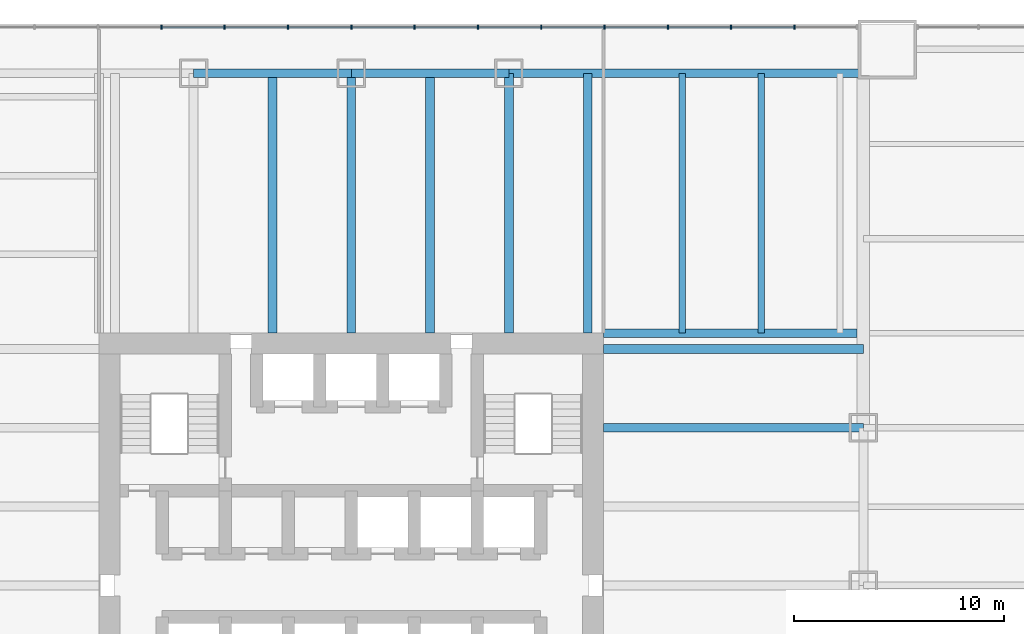
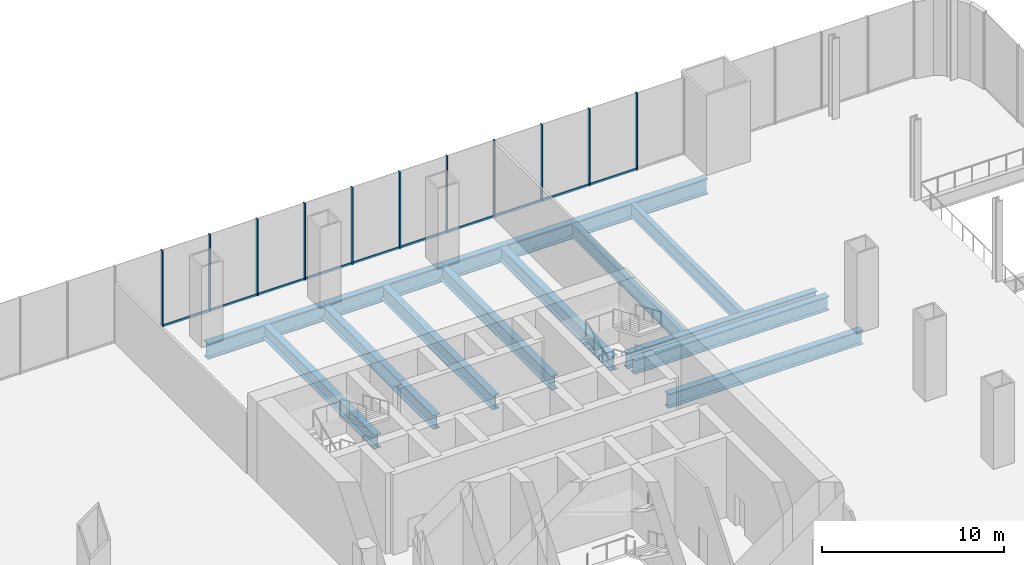
# One storey, part 7 of 16: 21 members, 13 beams, 1 element without a shape of its own.
"""IFC4 building model written with IfcOpenShell, lengths in metres."""

from ifc_helpers import new_model, si_unit, direction, frame, origin, origin_2d, place, context, subcontext, project, spatial, rectangle, i_section, extrude, material, material_profile, profile_set, type_object, element, aggregate, save


model = new_model("IFC4")

# Units and contexts
model_context = context("Model", 3, precision=1e-05, world=origin(), true_north=direction((0.0, 1.0)))
body_context = subcontext(model_context, "Body", "Model", "MODEL_VIEW")
ifc_project = project(units=[si_unit("LENGTHUNIT", "METRE"), si_unit("AREAUNIT", "SQUARE_METRE"), si_unit("VOLUMEUNIT", "CUBIC_METRE"), si_unit("PLANEANGLEUNIT", "RADIAN"), si_unit("MASSUNIT", "GRAM", prefix="KILO")], contexts=[model_context])

# Site, building, storey
site_placement = place(None, origin())
site = spatial("IfcSite", under=ifc_project, at=site_placement, CompositionType="ELEMENT")
building_placement = place(site_placement, origin())
building = spatial("IfcBuilding", under=site, at=building_placement, Name="Tarangal Relay Tower", CompositionType="ELEMENT")
storey_placement = place(building_placement, frame((0.0, 0.0, 12.60009765625)))
storey = spatial("IfcBuildingStorey", under=building, at=storey_placement, Name="L02", CompositionType="ELEMENT", Elevation=12.60009765625)

# Beams
ifc_material_1 = material(Name="Steel ASTM A992", Category="steel")
ifc_material_profile_1 = material_profile(ifc_material_1, i_section(OverallWidth=0.307373046875, OverallDepth=0.927001953125, WebThickness=0.019287109375, FlangeThickness=0.031982421875, at=origin_2d()), Name="W36X194")
ifc_profile_set_1 = profile_set([ifc_material_profile_1], Name="Steel ASTM A992")
beam_type_1 = type_object("IfcBeamType", Name="Corner beam W36X194", PredefinedType="JOIST", material=ifc_profile_set_1)
for number, where, z_axis, x_axis, name in (
    (1, (15.75, 12.0, -0.713623046875), (0.0, 1.0, 0.0), (-1.0, 0.0, 0.0), "Corner beam CB10 N L02"),
    (2, (19.5, 12.0, -0.713623046875), (0.0, 1.0, 0.0), (-1.0, 0.0, 0.0), "Corner beam CB10 N L02"),
):
    element("IfcBeam", number, at=place(storey_placement, frame(where, z_axis=z_axis, x_axis=x_axis)), inside=storey, type_object=beam_type_1, Name=name, PredefinedType="JOIST", context=body_context, shape_type="SweptSolid", body=[
        extrude(i_section(OverallWidth=0.307373046875, OverallDepth=0.927001953125, WebThickness=0.019287109375, FlangeThickness=0.031982421875, at=origin_2d()), origin(), (0.0, 0.0, 1.0), 12.364990234375),
    ])
ifc_material_profile_2 = material_profile(ifc_material_1, i_section(OverallWidth=0.408935546875, OverallDepth=1.04150390625, WebThickness=0.031005859375, FlangeThickness=0.055908203125, at=origin_2d()), Name="W40X397")
ifc_profile_set_2 = profile_set([ifc_material_profile_2], Name="Steel ASTM A992")
beam_type_2 = type_object("IfcBeamType", Name="Corner girder W40X397", PredefinedType="BEAM", material=ifc_profile_set_2)
beam_1_placement = place(storey_placement, frame((12.0, 12.0, -0.770751953125), z_axis=(1.0, 0.0, 0.0), x_axis=(0.0, 1.0, 0.0)))
element("IfcBeam", 3, at=beam_1_placement, inside=storey, type_object=beam_type_2, Name="Corner girder CG1 N L02", PredefinedType="BEAM", context=body_context, shape_type="SweptSolid", body=[
    extrude(i_section(OverallWidth=0.408935546875, OverallDepth=1.04150390625, WebThickness=0.031005859375, FlangeThickness=0.055908203125, at=origin_2d()), origin(), (0.0, 0.0, 1.0), 12.06494140625),
])
ifc_material_profile_3 = material_profile(ifc_material_1, i_section(OverallWidth=0.41650390625, OverallDepth=1.0693359375, WebThickness=0.0390625, FlangeThickness=0.070068359375, at=origin_2d()), Name="W40X503")
ifc_profile_set_3 = profile_set([ifc_material_profile_3], Name="Steel ASTM A992")
beam_type_3 = type_object("IfcBeamType", Name="Edge girder W40X503", PredefinedType="SPANDREL", material=ifc_profile_set_3)
for number, where, z_axis, x_axis, name in (
    (4, (-7.5, 24.364990234375, -0.78466796875), (1.0, 0.0, 0.0), (0.0, 1.0, 0.0), "Edge girder EG8 N L02"),
    (5, (0.0, 24.364990234375, -0.78466796875), (1.0, 0.0, 0.0), (0.0, 1.0, 0.0), "Edge girder EG8 N L02"),
):
    element("IfcBeam", number, at=place(storey_placement, frame(where, z_axis=z_axis, x_axis=x_axis)), inside=storey, type_object=beam_type_3, Name=name, PredefinedType="SPANDREL", context=body_context, shape_type="SweptSolid", body=[
        extrude(i_section(OverallWidth=0.41650390625, OverallDepth=1.0693359375, WebThickness=0.0390625, FlangeThickness=0.070068359375, at=origin_2d()), origin(), (0.0, 0.0, 1.0), 7.5),
    ])
beam_2_placement = place(storey_placement, frame((7.5, 24.364990234375, -0.78466796875), z_axis=(1.0, 0.0, 0.0), x_axis=(0.0, 1.0, 0.0)))
element("IfcBeam", 6, at=beam_2_placement, inside=storey, type_object=beam_type_3, Name="Edge girder EG8 N L02", PredefinedType="SPANDREL", context=body_context, shape_type="SweptSolid", body=[
    extrude(i_section(OverallWidth=0.41650390625, OverallDepth=1.0693359375, WebThickness=0.0390625, FlangeThickness=0.070068359375, at=origin_2d()), origin(), (0.0, 0.0, 1.0), 16.75),
])
ifc_material_profile_4 = material_profile(ifc_material_1, i_section(OverallWidth=0.42431640625, OverallDepth=0.947509765625, WebThickness=0.02392578125, FlangeThickness=0.042724609375, at=origin_2d()), Name="W36X302")
ifc_profile_set_4 = profile_set([ifc_material_profile_4], Name="Steel ASTM A992")
beam_type_4 = type_object("IfcBeamType", Name="Floor beam W36X302", PredefinedType="BEAM", material=ifc_profile_set_4)
for number, where, z_axis, x_axis, name in (
    (7, (-3.75, 12.0, -0.723876953125), (0.0, 1.0, 0.0), (-1.0, 0.0, 0.0), "Floor beam RB10 N L02"),
    (8, (0.0, 12.0, -0.723876953125), (0.0, 1.0, 0.0), (-1.0, 0.0, 0.0), "Floor beam RB10 N L02"),
    (9, (3.75, 12.0, -0.723876953125), (0.0, 1.0, 0.0), (-1.0, 0.0, 0.0), "Floor beam RB10 N L02"),
    (10, (7.5, 12.0, -0.723876953125), (0.0, 1.0, 0.0), (-1.0, 0.0, 0.0), "Floor beam RB10 N L02"),
    (11, (11.25, 12.0, -0.723876953125), (0.0, 1.0, 0.0), (-1.0, 0.0, 0.0), "Floor beam RB10 N L02"),
    (12, (12.0, 11.25, -0.723876953125), (1.0, 0.0, 0.0), (0.0, 1.0, 0.0), "Floor beam RB10 E L02"),
    (13, (12.0, 7.5, -0.723876953125), (1.0, 0.0, 0.0), (0.0, 1.0, 0.0), "Floor beam RB10 E L02"),
):
    element("IfcBeam", number, at=place(storey_placement, frame(where, z_axis=z_axis, x_axis=x_axis)), inside=storey, type_object=beam_type_4, Name=name, PredefinedType="BEAM", context=body_context, shape_type="SweptSolid", body=[
        extrude(i_section(OverallWidth=0.42431640625, OverallDepth=0.947509765625, WebThickness=0.02392578125, FlangeThickness=0.042724609375, at=origin_2d()), origin(), (0.0, 0.0, 1.0), 12.364990234375),
    ])

# Curtain wall, members
ifc_material_2 = material(Name="Unitised curtain wall, dark glass and black aluminium", Category="aluminium")
curtain_wall_type = type_object("IfcCurtainWallType", Name="Curtain wall CW-P", PredefinedType="USERDEFINED", material=ifc_material_2)
curtain_wall_placement = place(storey_placement, origin())
curtain_wall = element("IfcCurtainWall", 14, at=curtain_wall_placement, inside=storey, type_object=curtain_wall_type, Name="Curtain wall CW-P Podium N facade L02", ObjectType="UNITISED CURTAIN WALL", PredefinedType="USERDEFINED")
ifc_material_3 = material(Name="Black anodised aluminium mullion", Category="aluminium")
ifc_material_profile_5 = material_profile(ifc_material_3, rectangle(XDim=0.199951171875, YDim=0.070068359375, at=origin_2d()), Name="CW-PM 70X200")
ifc_profile_set_5 = profile_set([ifc_material_profile_5], Name="Black anodised aluminium mullion")
member_type_1 = type_object("IfcMemberType", Name="Mullion CW-P 70 x 200", PredefinedType="MULLION", material=ifc_profile_set_5)
member_1_placement = place(storey_placement, frame((21.08740234375, 26.550048828125, 0.0), z_axis=(0.0, 0.0, 1.0), x_axis=(0.0, -1.0, 0.0)))
member_1 = element("IfcMember", 15, at=member_1_placement, type_object=member_type_1, Name="CW-P mullion 2", PredefinedType="MULLION", context=body_context, shape_type="SweptSolid", body=[
    extrude(rectangle(XDim=0.199951171875, YDim=0.070068359375, at=origin_2d()), origin(), (0.0, 0.0, 1.0), 5.14990234375),
])
member_2_placement = place(storey_placement, frame((18.074951171875, 26.550048828125, 0.0), z_axis=(0.0, 0.0, 1.0), x_axis=(0.0, -1.0, 0.0)))
member_2 = element("IfcMember", 16, at=member_2_placement, type_object=member_type_1, Name="CW-P mullion 3", PredefinedType="MULLION", context=body_context, shape_type="SweptSolid", body=[
    extrude(rectangle(XDim=0.199951171875, YDim=0.070068359375, at=origin_2d()), origin(), (0.0, 0.0, 1.0), 5.14990234375),
])
member_3_placement = place(storey_placement, frame((15.0625, 26.550048828125, 0.0), z_axis=(0.0, 0.0, 1.0), x_axis=(0.0, -1.0, 0.0)))
member_3 = element("IfcMember", 17, at=member_3_placement, type_object=member_type_1, Name="CW-P mullion 4", PredefinedType="MULLION", context=body_context, shape_type="SweptSolid", body=[
    extrude(rectangle(XDim=0.199951171875, YDim=0.070068359375, at=origin_2d()), origin(), (0.0, 0.0, 1.0), 5.14990234375),
])
member_4_placement = place(storey_placement, frame((12.050048828125, 26.550048828125, 0.0), z_axis=(0.0, 0.0, 1.0), x_axis=(0.0, -1.0, 0.0)))
member_4 = element("IfcMember", 18, at=member_4_placement, type_object=member_type_1, Name="CW-P mullion 5", PredefinedType="MULLION", context=body_context, shape_type="SweptSolid", body=[
    extrude(rectangle(XDim=0.199951171875, YDim=0.070068359375, at=origin_2d()), origin(), (0.0, 0.0, 1.0), 5.14990234375),
])
member_5_placement = place(storey_placement, frame((9.03759765625, 26.550048828125, 0.0), z_axis=(0.0, 0.0, 1.0), x_axis=(0.0, -1.0, 0.0)))
member_5 = element("IfcMember", 19, at=member_5_placement, type_object=member_type_1, Name="CW-P mullion 6", PredefinedType="MULLION", context=body_context, shape_type="SweptSolid", body=[
    extrude(rectangle(XDim=0.199951171875, YDim=0.070068359375, at=origin_2d()), origin(), (0.0, 0.0, 1.0), 5.14990234375),
])
member_6_placement = place(storey_placement, frame((6.02490234375, 26.550048828125, 0.0), z_axis=(0.0, 0.0, 1.0), x_axis=(0.0, -1.0, 0.0)))
member_6 = element("IfcMember", 20, at=member_6_placement, type_object=member_type_1, Name="CW-P mullion 7", PredefinedType="MULLION", context=body_context, shape_type="SweptSolid", body=[
    extrude(rectangle(XDim=0.199951171875, YDim=0.070068359375, at=origin_2d()), origin(), (0.0, 0.0, 1.0), 5.14990234375),
])
member_7_placement = place(storey_placement, frame((3.012451171875, 26.550048828125, 0.0), z_axis=(0.0, 0.0, 1.0), x_axis=(0.0, -1.0, 0.0)))
member_7 = element("IfcMember", 21, at=member_7_placement, type_object=member_type_1, Name="CW-P mullion 8", PredefinedType="MULLION", context=body_context, shape_type="SweptSolid", body=[
    extrude(rectangle(XDim=0.199951171875, YDim=0.070068359375, at=origin_2d()), origin(), (0.0, 0.0, 1.0), 5.14990234375),
])
member_8_placement = place(storey_placement, frame((0.0, 26.550048828125, 0.0), z_axis=(0.0, 0.0, 1.0), x_axis=(0.0, -1.0, 0.0)))
member_8 = element("IfcMember", 22, at=member_8_placement, type_object=member_type_1, Name="CW-P mullion 9", PredefinedType="MULLION", context=body_context, shape_type="SweptSolid", body=[
    extrude(rectangle(XDim=0.199951171875, YDim=0.070068359375, at=origin_2d()), origin(), (0.0, 0.0, 1.0), 5.14990234375),
])
member_9_placement = place(storey_placement, frame((-3.012451171875, 26.550048828125, 0.0), z_axis=(0.0, 0.0, 1.0), x_axis=(0.0, -1.0, 0.0)))
member_9 = element("IfcMember", 23, at=member_9_placement, type_object=member_type_1, Name="CW-P mullion 10", PredefinedType="MULLION", context=body_context, shape_type="SweptSolid", body=[
    extrude(rectangle(XDim=0.199951171875, YDim=0.070068359375, at=origin_2d()), origin(), (0.0, 0.0, 1.0), 5.14990234375),
])
member_10_placement = place(storey_placement, frame((-6.02490234375, 26.550048828125, 0.0), z_axis=(0.0, 0.0, 1.0), x_axis=(0.0, -1.0, 0.0)))
member_10 = element("IfcMember", 24, at=member_10_placement, type_object=member_type_1, Name="CW-P mullion 11", PredefinedType="MULLION", context=body_context, shape_type="SweptSolid", body=[
    extrude(rectangle(XDim=0.199951171875, YDim=0.070068359375, at=origin_2d()), origin(), (0.0, 0.0, 1.0), 5.14990234375),
])
member_11_placement = place(storey_placement, frame((-9.03759765625, 26.550048828125, 0.0), z_axis=(0.0, 0.0, 1.0), x_axis=(0.0, -1.0, 0.0)))
member_11 = element("IfcMember", 25, at=member_11_placement, type_object=member_type_1, Name="CW-P mullion 12", PredefinedType="MULLION", context=body_context, shape_type="SweptSolid", body=[
    extrude(rectangle(XDim=0.199951171875, YDim=0.070068359375, at=origin_2d()), origin(), (0.0, 0.0, 1.0), 5.14990234375),
])
ifc_material_4 = material(Name="Black anodised aluminium transom", Category="aluminium")
ifc_material_profile_6 = material_profile(ifc_material_4, rectangle(XDim=0.070068359375, YDim=0.159912109375, at=origin_2d()), Name="CW-PT 70X160")
ifc_profile_set_6 = profile_set([ifc_material_profile_6], Name="Black anodised aluminium transom")
member_type_2 = type_object("IfcMemberType", Name="Transom CW-P 70 x 160", PredefinedType="USERDEFINED", material=ifc_profile_set_6)
member_12_placement = place(storey_placement, frame((21.052490234375, 26.550048828125, 0.034912109375), z_axis=(-1.0, 0.0, 0.0), x_axis=(0.0, -1.0, 0.0)))
member_12 = element("IfcMember", 26, at=member_12_placement, type_object=member_type_2, Name="CW-P transom 2.1", ObjectType="TRANSOM", PredefinedType="USERDEFINED", context=body_context, shape_type="SweptSolid", body=[
    extrude(rectangle(XDim=0.070068359375, YDim=0.159912109375, at=origin_2d()), origin(), (0.0, 0.0, 1.0), 2.9423828125),
])
member_13_placement = place(storey_placement, frame((18.0400390625, 26.550048828125, 0.034912109375), z_axis=(-1.0, 0.0, 0.0), x_axis=(0.0, -1.0, 0.0)))
member_13 = element("IfcMember", 27, at=member_13_placement, type_object=member_type_2, Name="CW-P transom 3.1", ObjectType="TRANSOM", PredefinedType="USERDEFINED", context=body_context, shape_type="SweptSolid", body=[
    extrude(rectangle(XDim=0.070068359375, YDim=0.159912109375, at=origin_2d()), origin(), (0.0, 0.0, 1.0), 2.942626953125),
])
member_14_placement = place(storey_placement, frame((15.027587890625, 26.550048828125, 0.034912109375), z_axis=(-1.0, 0.0, 0.0), x_axis=(0.0, -1.0, 0.0)))
member_14 = element("IfcMember", 28, at=member_14_placement, type_object=member_type_2, Name="CW-P transom 4.1", ObjectType="TRANSOM", PredefinedType="USERDEFINED", context=body_context, shape_type="SweptSolid", body=[
    extrude(rectangle(XDim=0.070068359375, YDim=0.159912109375, at=origin_2d()), origin(), (0.0, 0.0, 1.0), 2.942626953125),
])
member_15_placement = place(storey_placement, frame((12.014892578125, 26.550048828125, 0.034912109375), z_axis=(-1.0, 0.0, 0.0), x_axis=(0.0, -1.0, 0.0)))
member_15 = element("IfcMember", 29, at=member_15_placement, type_object=member_type_2, Name="CW-P transom 5.1", ObjectType="TRANSOM", PredefinedType="USERDEFINED", context=body_context, shape_type="SweptSolid", body=[
    extrude(rectangle(XDim=0.070068359375, YDim=0.159912109375, at=origin_2d()), origin(), (0.0, 0.0, 1.0), 2.9423828125),
])
member_16_placement = place(storey_placement, frame((9.00244140625, 26.550048828125, 0.034912109375), z_axis=(-1.0, 0.0, 0.0), x_axis=(0.0, -1.0, 0.0)))
member_16 = element("IfcMember", 30, at=member_16_placement, type_object=member_type_2, Name="CW-P transom 6.1", ObjectType="TRANSOM", PredefinedType="USERDEFINED", context=body_context, shape_type="SweptSolid", body=[
    extrude(rectangle(XDim=0.070068359375, YDim=0.159912109375, at=origin_2d()), origin(), (0.0, 0.0, 1.0), 2.9423828125),
])
member_17_placement = place(storey_placement, frame((5.989990234375, 26.550048828125, 0.034912109375), z_axis=(-1.0, 0.0, 0.0), x_axis=(0.0, -1.0, 0.0)))
member_17 = element("IfcMember", 31, at=member_17_placement, type_object=member_type_2, Name="CW-P transom 7.1", ObjectType="TRANSOM", PredefinedType="USERDEFINED", context=body_context, shape_type="SweptSolid", body=[
    extrude(rectangle(XDim=0.070068359375, YDim=0.159912109375, at=origin_2d()), origin(), (0.0, 0.0, 1.0), 2.9423828125),
])
member_18_placement = place(storey_placement, frame((2.9775390625, 26.550048828125, 0.034912109375), z_axis=(-1.0, 0.0, 0.0), x_axis=(0.0, -1.0, 0.0)))
member_18 = element("IfcMember", 32, at=member_18_placement, type_object=member_type_2, Name="CW-P transom 8.1", ObjectType="TRANSOM", PredefinedType="USERDEFINED", context=body_context, shape_type="SweptSolid", body=[
    extrude(rectangle(XDim=0.070068359375, YDim=0.159912109375, at=origin_2d()), origin(), (0.0, 0.0, 1.0), 2.942626953125),
])
member_19_placement = place(storey_placement, frame((-0.034912109375, 26.550048828125, 0.034912109375), z_axis=(-1.0, 0.0, 0.0), x_axis=(0.0, -1.0, 0.0)))
member_19 = element("IfcMember", 33, at=member_19_placement, type_object=member_type_2, Name="CW-P transom 9.1", ObjectType="TRANSOM", PredefinedType="USERDEFINED", context=body_context, shape_type="SweptSolid", body=[
    extrude(rectangle(XDim=0.070068359375, YDim=0.159912109375, at=origin_2d()), origin(), (0.0, 0.0, 1.0), 2.942626953125),
])
member_20_placement = place(storey_placement, frame((-3.047607421875, 26.550048828125, 0.034912109375), z_axis=(-1.0, 0.0, 0.0), x_axis=(0.0, -1.0, 0.0)))
member_20 = element("IfcMember", 34, at=member_20_placement, type_object=member_type_2, Name="CW-P transom 10.1", ObjectType="TRANSOM", PredefinedType="USERDEFINED", context=body_context, shape_type="SweptSolid", body=[
    extrude(rectangle(XDim=0.070068359375, YDim=0.159912109375, at=origin_2d()), origin(), (0.0, 0.0, 1.0), 2.9423828125),
])
member_21_placement = place(storey_placement, frame((-6.06005859375, 26.550048828125, 0.034912109375), z_axis=(-1.0, 0.0, 0.0), x_axis=(0.0, -1.0, 0.0)))
member_21 = element("IfcMember", 35, at=member_21_placement, type_object=member_type_2, Name="CW-P transom 11.1", ObjectType="TRANSOM", PredefinedType="USERDEFINED", context=body_context, shape_type="SweptSolid", body=[
    extrude(rectangle(XDim=0.070068359375, YDim=0.159912109375, at=origin_2d()), origin(), (0.0, 0.0, 1.0), 2.9423828125),
])
aggregate(curtain_wall, [member_1, member_2, member_3, member_4, member_5, member_6, member_7, member_8, member_9, member_10, member_11, member_12, member_13, member_14, member_15, member_16, member_17, member_18, member_19, member_20, member_21])

save(model, "model.ifc")
